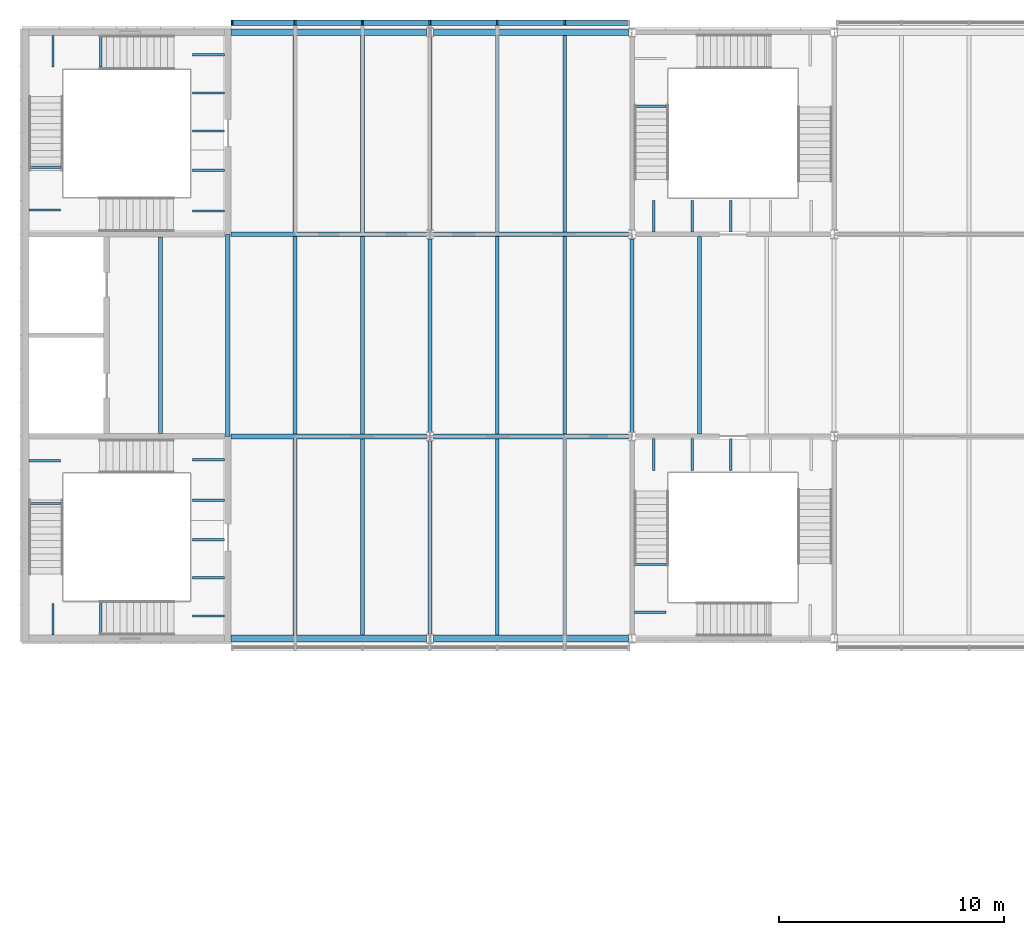
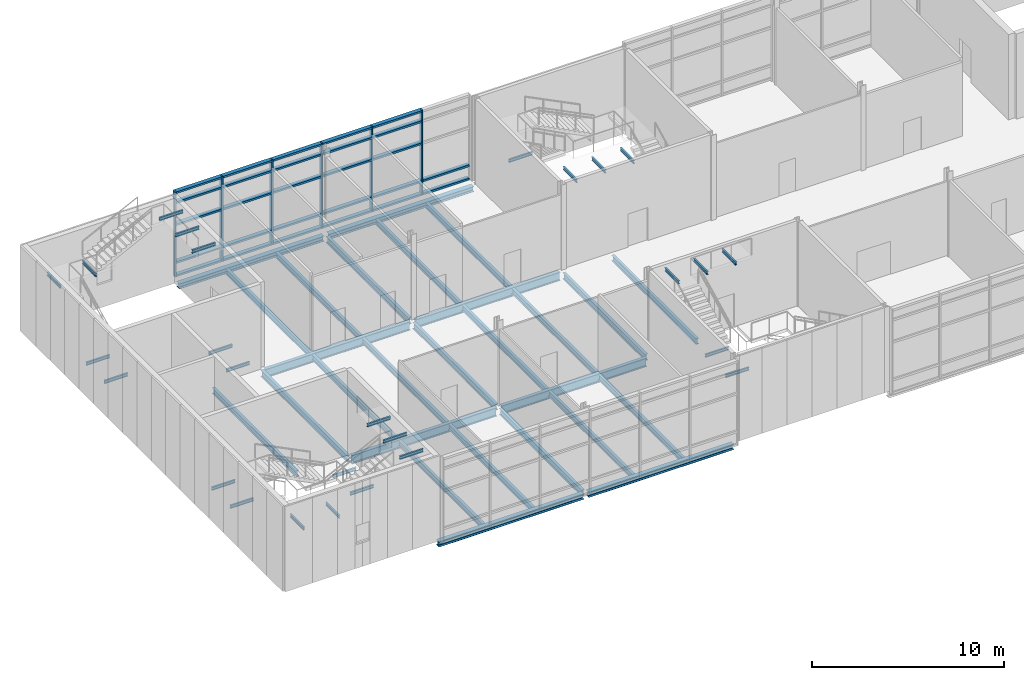
# One storey, part 14 of 56: 54 beams, 33 members, 1 element without a shape of its own.
"""IFC4 building model written with IfcOpenShell, lengths in metres."""

from ifc_helpers import new_model, si_unit, direction, frame, origin, origin_2d, place, context, subcontext, project, spatial, rectangle, i_section, extrude, material, material_profile, profile_set, type_object, element, aggregate, save


model = new_model("IFC4")

# Units and contexts
model_context = context("Model", 3, precision=1e-05, world=origin(), true_north=direction((0.0, 1.0)))
body_context = subcontext(model_context, "Body", "Model", "MODEL_VIEW")
ifc_project = project(units=[si_unit("LENGTHUNIT", "METRE"), si_unit("AREAUNIT", "SQUARE_METRE"), si_unit("VOLUMEUNIT", "CUBIC_METRE"), si_unit("PLANEANGLEUNIT", "RADIAN"), si_unit("MASSUNIT", "GRAM", prefix="KILO")], contexts=[model_context])

# Site, building, storey
site_placement = place(None, origin())
site = spatial("IfcSite", under=ifc_project, at=site_placement, CompositionType="ELEMENT")
building_placement = place(site_placement, origin())
building = spatial("IfcBuilding", under=site, at=building_placement, Name="Azimuth Sports and Learning Centre", CompositionType="ELEMENT")
storey_placement = place(building_placement, frame((0.0, 0.0, 5.39990234375)))
storey = spatial("IfcBuildingStorey", under=building, at=storey_placement, Name="L01", CompositionType="ELEMENT", Elevation=5.39990234375)

# Beams
ifc_material_1 = material(Name="Steel S355", Category="steel")
ifc_material_profile_1 = material_profile(ifc_material_1, i_section(OverallWidth=0.10009765625, OverallDepth=0.199951171875, WebThickness=0.005615234375, FlangeThickness=0.008544921875, FilletRadius=0.011962890625, at=origin_2d()), Name="IPE 200")
ifc_profile_set_1 = profile_set([ifc_material_profile_1], Name="Steel S355")
beam_type_1 = type_object("IfcBeamType", Name="Beam IPE 200", PredefinedType="BEAM", material=ifc_profile_set_1)
for number, where, z_axis, x_axis, name in (
    (1, (8.85009765625, 96.15380859375, -0.2998046875), (-1.0, 0.0, 0.0), (0.0, -1.0, 0.0), "Landing bracket WW1 L01 720"),
    (2, (8.85009765625, 97.961181640625, -0.2998046875), (-1.0, 0.0, 0.0), (0.0, -1.0, 0.0), "Landing bracket WW1 L01 721"),
    (3, (0.14990234375, 96.014892578125, 1.5), (1.0, 0.0, 0.0), (0.0, 1.0, 0.0), "Landing bracket WW1 L01 722"),
    (4, (0.14990234375, 97.9150390625, 1.5), (1.0, 0.0, 0.0), (0.0, 1.0, 0.0), "Landing bracket WW1 L01 723"),
    (5, (1.222412109375, 90.14990234375, 3.300048828125), (0.0, 1.0, 0.0), (-1.0, 0.0, 0.0), "Landing bracket WW1 L01 724"),
    (6, (3.347412109375, 90.14990234375, 3.300048828125), (0.0, 1.0, 0.0), (-1.0, 0.0, 0.0), "Landing bracket WW1 L01 725"),
    (7, (8.85009765625, 91.00830078125, 5.10009765625), (-1.0, 0.0, 0.0), (0.0, -1.0, 0.0), "Landing bracket WW1 L01 726"),
    (8, (8.85009765625, 92.705078125, 5.10009765625), (-1.0, 0.0, 0.0), (0.0, -1.0, 0.0), "Landing bracket WW1 L01 727"),
    (9, (8.85009765625, 94.401611328125, 5.10009765625), (-1.0, 0.0, 0.0), (0.0, -1.0, 0.0), "Landing bracket WW1 L01 728"),
    (10, (8.85009765625, 109.038818359375, -0.2998046875), (-1.0, 0.0, 0.0), (0.0, -1.0, 0.0), "Landing bracket WW2 L01 754"),
    (11, (8.85009765625, 110.84619140625, -0.2998046875), (-1.0, 0.0, 0.0), (0.0, -1.0, 0.0), "Landing bracket WW2 L01 755"),
    (12, (0.14990234375, 109.0849609375, 1.5), (1.0, 0.0, 0.0), (0.0, 1.0, 0.0), "Landing bracket WW2 L01 756"),
    (13, (0.14990234375, 110.985107421875, 1.5), (1.0, 0.0, 0.0), (0.0, 1.0, 0.0), "Landing bracket WW2 L01 757"),
    (14, (1.222412109375, 116.85009765625, 3.300048828125), (0.0, -1.0, 0.0), (1.0, 0.0, 0.0), "Landing bracket WW2 L01 758"),
    (15, (3.347412109375, 116.85009765625, 3.300048828125), (0.0, -1.0, 0.0), (1.0, 0.0, 0.0), "Landing bracket WW2 L01 759"),
    (16, (8.85009765625, 112.598388671875, 5.10009765625), (-1.0, 0.0, 0.0), (0.0, -1.0, 0.0), "Landing bracket WW2 L01 760"),
    (17, (8.85009765625, 114.294921875, 5.10009765625), (-1.0, 0.0, 0.0), (0.0, -1.0, 0.0), "Landing bracket WW2 L01 761"),
    (18, (8.85009765625, 115.99169921875, 5.10009765625), (-1.0, 0.0, 0.0), (0.0, -1.0, 0.0), "Landing bracket WW2 L01 762"),
):
    element("IfcBeam", number, at=place(storey_placement, frame(where, z_axis=z_axis, x_axis=x_axis)), inside=storey, type_object=beam_type_1, Name=name, PredefinedType="BEAM", context=body_context, shape_type="SweptSolid", body=[
        extrude(i_section(OverallWidth=0.10009765625, OverallDepth=0.199951171875, WebThickness=0.005615234375, FlangeThickness=0.008544921875, FilletRadius=0.011962890625, at=origin_2d()), origin(), (0.0, 0.0, 1.0), 1.41015625),
    ])
for number, where, z_axis, x_axis, name in (
    (19, (27.10009765625, 91.172607421875, 3.300048828125), (1.0, 0.0, 0.0), (0.0, 1.0, 0.0), "Landing bracket WM1 L01 860"),
    (20, (27.10009765625, 93.297607421875, 3.300048828125), (1.0, 0.0, 0.0), (0.0, 1.0, 0.0), "Landing bracket WM1 L01 861"),
    (21, (27.966552734375, 98.89990234375, 5.10009765625), (0.0, -1.0, 0.0), (1.0, 0.0, 0.0), "Landing bracket WM1 L01 862"),
    (22, (29.679931640625, 98.89990234375, 5.10009765625), (0.0, -1.0, 0.0), (1.0, 0.0, 0.0), "Landing bracket WM1 L01 863"),
    (23, (31.393310546875, 98.89990234375, 5.10009765625), (0.0, -1.0, 0.0), (1.0, 0.0, 0.0), "Landing bracket WM1 L01 864"),
    (24, (27.10009765625, 113.702392578125, 3.300048828125), (1.0, 0.0, 0.0), (0.0, 1.0, 0.0), "Landing bracket WM2 L01 894"),
    (25, (27.966552734375, 108.10009765625, 5.10009765625), (0.0, 1.0, 0.0), (-1.0, 0.0, 0.0), "Landing bracket WM2 L01 896"),
    (26, (29.679931640625, 108.10009765625, 5.10009765625), (0.0, 1.0, 0.0), (-1.0, 0.0, 0.0), "Landing bracket WM2 L01 897"),
    (27, (31.393310546875, 108.10009765625, 5.10009765625), (0.0, 1.0, 0.0), (-1.0, 0.0, 0.0), "Landing bracket WM2 L01 898"),
):
    element("IfcBeam", number, at=place(storey_placement, frame(where, z_axis=z_axis, x_axis=x_axis)), inside=storey, type_object=beam_type_1, Name=name, PredefinedType="BEAM", context=body_context, shape_type="SweptSolid", body=[
        extrude(i_section(OverallWidth=0.10009765625, OverallDepth=0.199951171875, WebThickness=0.005615234375, FlangeThickness=0.008544921875, FilletRadius=0.011962890625, at=origin_2d()), origin(), (0.0, 0.0, 1.0), 1.409912109375),
    ])
ifc_material_2 = material(Name="Steel S355", Category="steel")
ifc_material_profile_2 = material_profile(ifc_material_2, i_section(OverallWidth=0.179931640625, OverallDepth=0.39990234375, WebThickness=0.008544921875, FlangeThickness=0.013427734375, FilletRadius=0.02099609375, at=origin_2d()), Name="IPE 400")
ifc_profile_set_2 = profile_set([ifc_material_profile_2], Name="Steel S355")
beam_type_2 = type_object("IfcBeamType", Name="Beam IPE 400", PredefinedType="BEAM", material=ifc_profile_set_2)
beam_1_placement = place(storey_placement, frame((9.0, 99.0, -0.349853515625), z_axis=(0.0, 1.0, 0.0), x_axis=(-1.0, 0.0, 0.0)))
element("IfcBeam", 28, at=beam_1_placement, inside=storey, type_object=beam_type_2, Name="Beam L01 WW 17", PredefinedType="BEAM", context=body_context, shape_type="SweptSolid", body=[
    extrude(i_section(OverallWidth=0.179931640625, OverallDepth=0.39990234375, WebThickness=0.008544921875, FlangeThickness=0.013427734375, FilletRadius=0.02099609375, at=origin_2d()), origin(), (0.0, 0.0, 1.0), 9.0),
])
for number, where, z_axis, x_axis, name in (
    (29, (18.0, 90.199951171875, -0.349853515625), (0.0, 1.0, 0.0), (-1.0, 0.0, 0.0), "Beam L01 WW 18"),
    (30, (18.0, 99.199951171875, -0.349853515625), (0.0, 1.0, 0.0), (-1.0, 0.0, 0.0), "Beam L01 WW 19"),
    (31, (18.0, 108.199951171875, -0.349853515625), (0.0, 1.0, 0.0), (-1.0, 0.0, 0.0), "Beam L01 WW 20"),
    (32, (27.0, 99.199951171875, -0.349853515625), (0.0, 1.0, 0.0), (-1.0, 0.0, 0.0), "Beam L01 WW 21"),
):
    element("IfcBeam", number, at=place(storey_placement, frame(where, z_axis=z_axis, x_axis=x_axis)), inside=storey, type_object=beam_type_2, Name=name, PredefinedType="BEAM", context=body_context, shape_type="SweptSolid", body=[
        extrude(i_section(OverallWidth=0.179931640625, OverallDepth=0.39990234375, WebThickness=0.008544921875, FlangeThickness=0.013427734375, FilletRadius=0.02099609375, at=origin_2d()), origin(), (0.0, 0.0, 1.0), 8.60009765625),
    ])
ifc_material_3 = material(Name="Steel S355", Category="steel")
ifc_material_profile_3 = material_profile(ifc_material_3, i_section(OverallWidth=0.2099609375, OverallDepth=0.550048828125, WebThickness=0.010986328125, FlangeThickness=0.01708984375, FilletRadius=0.02392578125, at=origin_2d()), Name="IPE 550")
ifc_profile_set_3 = profile_set([ifc_material_profile_3], Name="Steel S355")
beam_type_3 = type_object("IfcBeamType", Name="Beam IPE 550", PredefinedType="BEAM", material=ifc_profile_set_3)
for number, where, z_axis, x_axis, name in (
    (33, (9.14990234375, 99.0, -0.4248046875), (1.0, 0.0, 0.0), (0.0, 1.0, 0.0), "Beam L01 WW 5"),
    (34, (18.14990234375, 99.0, -0.4248046875), (1.0, 0.0, 0.0), (0.0, 1.0, 0.0), "Beam L01 WW 6"),
    (35, (9.14990234375, 108.0, -0.4248046875), (1.0, 0.0, 0.0), (0.0, 1.0, 0.0), "Beam L01 WW 9"),
    (36, (18.14990234375, 108.0, -0.4248046875), (1.0, 0.0, 0.0), (0.0, 1.0, 0.0), "Beam L01 WW 10"),
):
    element("IfcBeam", number, at=place(storey_placement, frame(where, z_axis=z_axis, x_axis=x_axis)), inside=storey, type_object=beam_type_3, Name=name, PredefinedType="BEAM", context=body_context, shape_type="SweptSolid", body=[
        extrude(i_section(OverallWidth=0.2099609375, OverallDepth=0.550048828125, WebThickness=0.010986328125, FlangeThickness=0.01708984375, FilletRadius=0.02392578125, at=origin_2d()), origin(), (0.0, 0.0, 1.0), 8.7001953125),
    ])
ifc_material_4 = material(Name="Steel S355", Category="steel")
ifc_material_profile_4 = material_profile(ifc_material_4, i_section(OverallWidth=0.300048828125, OverallDepth=0.330078125, WebThickness=0.009521484375, FlangeThickness=0.0166015625, FilletRadius=0.027099609375, at=origin_2d()), Name="HEA 340")
ifc_profile_set_4 = profile_set([ifc_material_profile_4], Name="Steel S355")
beam_type_4 = type_object("IfcBeamType", Name="Edge beam HEA 340", PredefinedType="SPANDREL", material=ifc_profile_set_4)
for number, where, z_axis, x_axis, name in (
    (37, (9.14990234375, 90.0, -0.31494140625), (1.0, 0.0, 0.0), (0.0, 1.0, 0.0), "Edge beam L01 WW 1"),
    (38, (18.14990234375, 90.0, -0.31494140625), (1.0, 0.0, 0.0), (0.0, 1.0, 0.0), "Edge beam L01 WW 2"),
    (39, (9.14990234375, 117.0, -0.31494140625), (1.0, 0.0, 0.0), (0.0, 1.0, 0.0), "Edge beam L01 WW 13"),
    (40, (18.14990234375, 117.0, -0.31494140625), (1.0, 0.0, 0.0), (0.0, 1.0, 0.0), "Edge beam L01 WW 14"),
):
    element("IfcBeam", number, at=place(storey_placement, frame(where, z_axis=z_axis, x_axis=x_axis)), inside=storey, type_object=beam_type_4, Name=name, PredefinedType="SPANDREL", context=body_context, shape_type="SweptSolid", body=[
        extrude(i_section(OverallWidth=0.300048828125, OverallDepth=0.330078125, WebThickness=0.009521484375, FlangeThickness=0.0166015625, FilletRadius=0.027099609375, at=origin_2d()), origin(), (0.0, 0.0, 1.0), 8.7001953125),
    ])
ifc_material_5 = material(Name="Steel S355", Category="steel")
ifc_material_profile_5 = material_profile(ifc_material_5, i_section(OverallWidth=0.169921875, OverallDepth=0.360107421875, WebThickness=0.008056640625, FlangeThickness=0.0126953125, FilletRadius=0.01806640625, at=origin_2d()), Name="IPE 360")
ifc_profile_set_5 = profile_set([ifc_material_profile_5], Name="Steel S355")
beam_type_5 = type_object("IfcBeamType", Name="Joist IPE 360", PredefinedType="JOIST", material=ifc_profile_set_5)
beam_2_placement = place(storey_placement, frame((6.0, 99.125, -0.329833984375), z_axis=(0.0, 1.0, 0.0), x_axis=(-1.0, 0.0, 0.0)))
element("IfcBeam", 41, at=beam_2_placement, inside=storey, type_object=beam_type_5, Name="Joist L01 WW 27", PredefinedType="JOIST", context=body_context, shape_type="SweptSolid", body=[
    extrude(i_section(OverallWidth=0.169921875, OverallDepth=0.360107421875, WebThickness=0.008056640625, FlangeThickness=0.0126953125, FilletRadius=0.01806640625, at=origin_2d()), origin(), (0.0, 0.0, 1.0), 8.75),
])
beam_3_placement = place(storey_placement, frame((12.0, 90.14990234375, -0.329833984375), z_axis=(0.0, 1.0, 0.0), x_axis=(-1.0, 0.0, 0.0)))
element("IfcBeam", 42, at=beam_3_placement, inside=storey, type_object=beam_type_5, Name="Joist L01 WW 28", PredefinedType="JOIST", context=body_context, shape_type="SweptSolid", body=[
    extrude(i_section(OverallWidth=0.169921875, OverallDepth=0.360107421875, WebThickness=0.008056640625, FlangeThickness=0.0126953125, FilletRadius=0.01806640625, at=origin_2d()), origin(), (0.0, 0.0, 1.0), 8.7451171875),
])
beam_4_placement = place(storey_placement, frame((12.0, 99.10498046875, -0.329833984375), z_axis=(0.0, 1.0, 0.0), x_axis=(-1.0, 0.0, 0.0)))
element("IfcBeam", 43, at=beam_4_placement, inside=storey, type_object=beam_type_5, Name="Joist L01 WW 29", PredefinedType="JOIST", context=body_context, shape_type="SweptSolid", body=[
    extrude(i_section(OverallWidth=0.169921875, OverallDepth=0.360107421875, WebThickness=0.008056640625, FlangeThickness=0.0126953125, FilletRadius=0.01806640625, at=origin_2d()), origin(), (0.0, 0.0, 1.0), 8.7900390625),
])
for number, where, z_axis, x_axis, name in (
    (44, (12.0, 108.10498046875, -0.329833984375), (0.0, 1.0, 0.0), (-1.0, 0.0, 0.0), "Joist L01 WW 30"),
    (45, (15.0, 90.14990234375, -0.329833984375), (0.0, 1.0, 0.0), (-1.0, 0.0, 0.0), "Joist L01 WW 31"),
):
    element("IfcBeam", number, at=place(storey_placement, frame(where, z_axis=z_axis, x_axis=x_axis)), inside=storey, type_object=beam_type_5, Name=name, PredefinedType="JOIST", context=body_context, shape_type="SweptSolid", body=[
        extrude(i_section(OverallWidth=0.169921875, OverallDepth=0.360107421875, WebThickness=0.008056640625, FlangeThickness=0.0126953125, FilletRadius=0.01806640625, at=origin_2d()), origin(), (0.0, 0.0, 1.0), 8.7451171875),
    ])
beam_5_placement = place(storey_placement, frame((15.0, 99.10498046875, -0.329833984375), z_axis=(0.0, 1.0, 0.0), x_axis=(-1.0, 0.0, 0.0)))
element("IfcBeam", 46, at=beam_5_placement, inside=storey, type_object=beam_type_5, Name="Joist L01 WW 32", PredefinedType="JOIST", context=body_context, shape_type="SweptSolid", body=[
    extrude(i_section(OverallWidth=0.169921875, OverallDepth=0.360107421875, WebThickness=0.008056640625, FlangeThickness=0.0126953125, FilletRadius=0.01806640625, at=origin_2d()), origin(), (0.0, 0.0, 1.0), 8.7900390625),
])
for number, where, z_axis, x_axis, name in (
    (47, (15.0, 108.10498046875, -0.329833984375), (0.0, 1.0, 0.0), (-1.0, 0.0, 0.0), "Joist L01 WW 33"),
    (48, (21.0, 90.14990234375, -0.329833984375), (0.0, 1.0, 0.0), (-1.0, 0.0, 0.0), "Joist L01 WW 34"),
):
    element("IfcBeam", number, at=place(storey_placement, frame(where, z_axis=z_axis, x_axis=x_axis)), inside=storey, type_object=beam_type_5, Name=name, PredefinedType="JOIST", context=body_context, shape_type="SweptSolid", body=[
        extrude(i_section(OverallWidth=0.169921875, OverallDepth=0.360107421875, WebThickness=0.008056640625, FlangeThickness=0.0126953125, FilletRadius=0.01806640625, at=origin_2d()), origin(), (0.0, 0.0, 1.0), 8.7451171875),
    ])
beam_6_placement = place(storey_placement, frame((21.0, 99.10498046875, -0.329833984375), z_axis=(0.0, 1.0, 0.0), x_axis=(-1.0, 0.0, 0.0)))
element("IfcBeam", 49, at=beam_6_placement, inside=storey, type_object=beam_type_5, Name="Joist L01 WW 35", PredefinedType="JOIST", context=body_context, shape_type="SweptSolid", body=[
    extrude(i_section(OverallWidth=0.169921875, OverallDepth=0.360107421875, WebThickness=0.008056640625, FlangeThickness=0.0126953125, FilletRadius=0.01806640625, at=origin_2d()), origin(), (0.0, 0.0, 1.0), 8.7900390625),
])
for number, where, z_axis, x_axis, name in (
    (50, (21.0, 108.10498046875, -0.329833984375), (0.0, 1.0, 0.0), (-1.0, 0.0, 0.0), "Joist L01 WW 36"),
    (51, (24.0, 90.14990234375, -0.329833984375), (0.0, 1.0, 0.0), (-1.0, 0.0, 0.0), "Joist L01 WW 37"),
):
    element("IfcBeam", number, at=place(storey_placement, frame(where, z_axis=z_axis, x_axis=x_axis)), inside=storey, type_object=beam_type_5, Name=name, PredefinedType="JOIST", context=body_context, shape_type="SweptSolid", body=[
        extrude(i_section(OverallWidth=0.169921875, OverallDepth=0.360107421875, WebThickness=0.008056640625, FlangeThickness=0.0126953125, FilletRadius=0.01806640625, at=origin_2d()), origin(), (0.0, 0.0, 1.0), 8.7451171875),
    ])
beam_7_placement = place(storey_placement, frame((24.0, 99.10498046875, -0.329833984375), z_axis=(0.0, 1.0, 0.0), x_axis=(-1.0, 0.0, 0.0)))
element("IfcBeam", 52, at=beam_7_placement, inside=storey, type_object=beam_type_5, Name="Joist L01 WW 38", PredefinedType="JOIST", context=body_context, shape_type="SweptSolid", body=[
    extrude(i_section(OverallWidth=0.169921875, OverallDepth=0.360107421875, WebThickness=0.008056640625, FlangeThickness=0.0126953125, FilletRadius=0.01806640625, at=origin_2d()), origin(), (0.0, 0.0, 1.0), 8.7900390625),
])
beam_8_placement = place(storey_placement, frame((24.0, 108.10498046875, -0.329833984375), z_axis=(0.0, 1.0, 0.0), x_axis=(-1.0, 0.0, 0.0)))
element("IfcBeam", 53, at=beam_8_placement, inside=storey, type_object=beam_type_5, Name="Joist L01 WW 39", PredefinedType="JOIST", context=body_context, shape_type="SweptSolid", body=[
    extrude(i_section(OverallWidth=0.169921875, OverallDepth=0.360107421875, WebThickness=0.008056640625, FlangeThickness=0.0126953125, FilletRadius=0.01806640625, at=origin_2d()), origin(), (0.0, 0.0, 1.0), 8.7451171875),
])
beam_9_placement = place(storey_placement, frame((30.0, 99.10009765625, -0.329833984375), z_axis=(0.0, 1.0, 0.0), x_axis=(-1.0, 0.0, 0.0)))
element("IfcBeam", 54, at=beam_9_placement, inside=storey, type_object=beam_type_5, Name="Joist L01 WW 40", PredefinedType="JOIST", context=body_context, shape_type="SweptSolid", body=[
    extrude(i_section(OverallWidth=0.169921875, OverallDepth=0.360107421875, WebThickness=0.008056640625, FlangeThickness=0.0126953125, FilletRadius=0.01806640625, at=origin_2d()), origin(), (0.0, 0.0, 1.0), 8.7998046875),
])

# Curtain wall, members
ifc_material_6 = material(Name="Aluminium and glass", Category="aluminium")
curtain_wall_type = type_object("IfcCurtainWallType", Name="Curtain wall podium wing 240", PredefinedType="NOTDEFINED", material=ifc_material_6)
curtain_wall_placement = place(storey_placement, origin())
curtain_wall = element("IfcCurtainWall", 55, at=curtain_wall_placement, inside=storey, type_object=curtain_wall_type, Name="Curtain wall CW01-014", PredefinedType="NOTDEFINED")
ifc_material_7 = material(Name="Aluminium", Category="aluminium")
ifc_material_profile_6 = material_profile(ifc_material_7, rectangle(XDim=0.239990234375, YDim=0.080078125, at=origin_2d()), Name="Mullion 80x240")
ifc_profile_set_6 = profile_set([ifc_material_profile_6], Name="Aluminium")
member_type_1 = type_object("IfcMemberType", Name="Mullion 80x240", PredefinedType="MULLION", material=ifc_profile_set_6)
member_1_placement = place(storey_placement, frame((24.0, 117.419921875, 0.0), z_axis=(0.0, 0.0, 1.0), x_axis=(0.0, -1.0, 0.0)))
member_1 = element("IfcMember", 56, at=member_1_placement, type_object=member_type_1, Name="CW01-014 mullion 2", PredefinedType="MULLION", context=body_context, shape_type="SweptSolid", body=[
    extrude(rectangle(XDim=0.239990234375, YDim=0.080078125, at=origin_2d()), origin(), (0.0, 0.0, 1.0), 5.400146484375),
])
member_2_placement = place(storey_placement, frame((21.0, 117.419921875, 0.0), z_axis=(0.0, 0.0, 1.0), x_axis=(0.0, -1.0, 0.0)))
member_2 = element("IfcMember", 57, at=member_2_placement, type_object=member_type_1, Name="CW01-014 mullion 3", PredefinedType="MULLION", context=body_context, shape_type="SweptSolid", body=[
    extrude(rectangle(XDim=0.239990234375, YDim=0.080078125, at=origin_2d()), origin(), (0.0, 0.0, 1.0), 5.400146484375),
])
member_3_placement = place(storey_placement, frame((18.0, 117.419921875, 0.0), z_axis=(0.0, 0.0, 1.0), x_axis=(0.0, -1.0, 0.0)))
member_3 = element("IfcMember", 58, at=member_3_placement, type_object=member_type_1, Name="CW01-014 mullion 4", PredefinedType="MULLION", context=body_context, shape_type="SweptSolid", body=[
    extrude(rectangle(XDim=0.239990234375, YDim=0.080078125, at=origin_2d()), origin(), (0.0, 0.0, 1.0), 5.400146484375),
])
member_4_placement = place(storey_placement, frame((15.0, 117.419921875, 0.0), z_axis=(0.0, 0.0, 1.0), x_axis=(0.0, -1.0, 0.0)))
member_4 = element("IfcMember", 59, at=member_4_placement, type_object=member_type_1, Name="CW01-014 mullion 5", PredefinedType="MULLION", context=body_context, shape_type="SweptSolid", body=[
    extrude(rectangle(XDim=0.239990234375, YDim=0.080078125, at=origin_2d()), origin(), (0.0, 0.0, 1.0), 5.400146484375),
])
member_5_placement = place(storey_placement, frame((12.0, 117.419921875, 0.0), z_axis=(0.0, 0.0, 1.0), x_axis=(0.0, -1.0, 0.0)))
member_5 = element("IfcMember", 60, at=member_5_placement, type_object=member_type_1, Name="CW01-014 mullion 6", PredefinedType="MULLION", context=body_context, shape_type="SweptSolid", body=[
    extrude(rectangle(XDim=0.239990234375, YDim=0.080078125, at=origin_2d()), origin(), (0.0, 0.0, 1.0), 5.400146484375),
])
member_6_placement = place(storey_placement, frame((9.18994140625, 117.419921875, 0.0), z_axis=(0.0, 0.0, 1.0), x_axis=(0.0, -1.0, 0.0)))
member_6 = element("IfcMember", 61, at=member_6_placement, type_object=member_type_1, Name="CW01-014 mullion 7", PredefinedType="MULLION", context=body_context, shape_type="SweptSolid", body=[
    extrude(rectangle(XDim=0.239990234375, YDim=0.080078125, at=origin_2d()), origin(), (0.0, 0.0, 1.0), 5.400146484375),
])
ifc_material_8 = material(Name="Aluminium", Category="aluminium")
ifc_material_profile_7 = material_profile(ifc_material_8, rectangle(XDim=0.239990234375, YDim=0.1201171875, at=origin_2d()), Name="Transom 120x240")
ifc_profile_set_7 = profile_set([ifc_material_profile_7], Name="Aluminium")
member_type_2 = type_object("IfcMemberType", Name="Transom 120x240", PredefinedType="USERDEFINED", material=ifc_profile_set_7)
member_7_placement = place(storey_placement, frame((26.820068359375, 117.419921875, 0.06005859375), z_axis=(-1.0, 0.0, 0.0), x_axis=(0.0, -1.0, 0.0)))
member_7 = element("IfcMember", 62, at=member_7_placement, type_object=member_type_2, Name="CW01-014 transom 1.1", ObjectType="TRANSOM", PredefinedType="USERDEFINED", context=body_context, shape_type="SweptSolid", body=[
    extrude(rectangle(XDim=0.239990234375, YDim=0.1201171875, at=origin_2d()), origin(), (0.0, 0.0, 1.0), 2.780029296875),
])
member_8_placement = place(storey_placement, frame((26.820068359375, 117.419921875, 0.900146484375), z_axis=(-1.0, 0.0, 0.0), x_axis=(0.0, -1.0, 0.0)))
member_8 = element("IfcMember", 63, at=member_8_placement, type_object=member_type_2, Name="CW01-014 transom 1.2", ObjectType="TRANSOM", PredefinedType="USERDEFINED", context=body_context, shape_type="SweptSolid", body=[
    extrude(rectangle(XDim=0.239990234375, YDim=0.1201171875, at=origin_2d()), origin(), (0.0, 0.0, 1.0), 2.780029296875),
])
member_9_placement = place(storey_placement, frame((23.9599609375, 117.419921875, 0.06005859375), z_axis=(-1.0, 0.0, 0.0), x_axis=(0.0, -1.0, 0.0)))
member_9 = element("IfcMember", 64, at=member_9_placement, type_object=member_type_2, Name="CW01-014 transom 2.1", ObjectType="TRANSOM", PredefinedType="USERDEFINED", context=body_context, shape_type="SweptSolid", body=[
    extrude(rectangle(XDim=0.239990234375, YDim=0.1201171875, at=origin_2d()), origin(), (0.0, 0.0, 1.0), 2.919921875),
])
member_10_placement = place(storey_placement, frame((23.9599609375, 117.419921875, 0.900146484375), z_axis=(-1.0, 0.0, 0.0), x_axis=(0.0, -1.0, 0.0)))
member_10 = element("IfcMember", 65, at=member_10_placement, type_object=member_type_2, Name="CW01-014 transom 2.2", ObjectType="TRANSOM", PredefinedType="USERDEFINED", context=body_context, shape_type="SweptSolid", body=[
    extrude(rectangle(XDim=0.239990234375, YDim=0.1201171875, at=origin_2d()), origin(), (0.0, 0.0, 1.0), 2.919921875),
])
member_11_placement = place(storey_placement, frame((23.9599609375, 117.419921875, 3.300048828125), z_axis=(-1.0, 0.0, 0.0), x_axis=(0.0, -1.0, 0.0)))
member_11 = element("IfcMember", 66, at=member_11_placement, type_object=member_type_2, Name="CW01-014 transom 2.3", ObjectType="TRANSOM", PredefinedType="USERDEFINED", context=body_context, shape_type="SweptSolid", body=[
    extrude(rectangle(XDim=0.239990234375, YDim=0.1201171875, at=origin_2d()), origin(), (0.0, 0.0, 1.0), 2.919921875),
])
member_12_placement = place(storey_placement, frame((23.9599609375, 117.419921875, 4.7001953125), z_axis=(-1.0, 0.0, 0.0), x_axis=(0.0, -1.0, 0.0)))
member_12 = element("IfcMember", 67, at=member_12_placement, type_object=member_type_2, Name="CW01-014 transom 2.4", ObjectType="TRANSOM", PredefinedType="USERDEFINED", context=body_context, shape_type="SweptSolid", body=[
    extrude(rectangle(XDim=0.239990234375, YDim=0.1201171875, at=origin_2d()), origin(), (0.0, 0.0, 1.0), 2.919921875),
])
member_13_placement = place(storey_placement, frame((23.9599609375, 117.419921875, 5.340087890625), z_axis=(-1.0, 0.0, 0.0), x_axis=(0.0, -1.0, 0.0)))
member_13 = element("IfcMember", 68, at=member_13_placement, type_object=member_type_2, Name="CW01-014 transom 2.5", ObjectType="TRANSOM", PredefinedType="USERDEFINED", context=body_context, shape_type="SweptSolid", body=[
    extrude(rectangle(XDim=0.239990234375, YDim=0.1201171875, at=origin_2d()), origin(), (0.0, 0.0, 1.0), 2.919921875),
])
member_14_placement = place(storey_placement, frame((20.9599609375, 117.419921875, 0.06005859375), z_axis=(-1.0, 0.0, 0.0), x_axis=(0.0, -1.0, 0.0)))
member_14 = element("IfcMember", 69, at=member_14_placement, type_object=member_type_2, Name="CW01-014 transom 3.1", ObjectType="TRANSOM", PredefinedType="USERDEFINED", context=body_context, shape_type="SweptSolid", body=[
    extrude(rectangle(XDim=0.239990234375, YDim=0.1201171875, at=origin_2d()), origin(), (0.0, 0.0, 1.0), 2.919921875),
])
member_15_placement = place(storey_placement, frame((20.9599609375, 117.419921875, 0.900146484375), z_axis=(-1.0, 0.0, 0.0), x_axis=(0.0, -1.0, 0.0)))
member_15 = element("IfcMember", 70, at=member_15_placement, type_object=member_type_2, Name="CW01-014 transom 3.2", ObjectType="TRANSOM", PredefinedType="USERDEFINED", context=body_context, shape_type="SweptSolid", body=[
    extrude(rectangle(XDim=0.239990234375, YDim=0.1201171875, at=origin_2d()), origin(), (0.0, 0.0, 1.0), 2.919921875),
])
member_16_placement = place(storey_placement, frame((20.9599609375, 117.419921875, 3.300048828125), z_axis=(-1.0, 0.0, 0.0), x_axis=(0.0, -1.0, 0.0)))
member_16 = element("IfcMember", 71, at=member_16_placement, type_object=member_type_2, Name="CW01-014 transom 3.3", ObjectType="TRANSOM", PredefinedType="USERDEFINED", context=body_context, shape_type="SweptSolid", body=[
    extrude(rectangle(XDim=0.239990234375, YDim=0.1201171875, at=origin_2d()), origin(), (0.0, 0.0, 1.0), 2.919921875),
])
member_17_placement = place(storey_placement, frame((20.9599609375, 117.419921875, 4.7001953125), z_axis=(-1.0, 0.0, 0.0), x_axis=(0.0, -1.0, 0.0)))
member_17 = element("IfcMember", 72, at=member_17_placement, type_object=member_type_2, Name="CW01-014 transom 3.4", ObjectType="TRANSOM", PredefinedType="USERDEFINED", context=body_context, shape_type="SweptSolid", body=[
    extrude(rectangle(XDim=0.239990234375, YDim=0.1201171875, at=origin_2d()), origin(), (0.0, 0.0, 1.0), 2.919921875),
])
member_18_placement = place(storey_placement, frame((20.9599609375, 117.419921875, 5.340087890625), z_axis=(-1.0, 0.0, 0.0), x_axis=(0.0, -1.0, 0.0)))
member_18 = element("IfcMember", 73, at=member_18_placement, type_object=member_type_2, Name="CW01-014 transom 3.5", ObjectType="TRANSOM", PredefinedType="USERDEFINED", context=body_context, shape_type="SweptSolid", body=[
    extrude(rectangle(XDim=0.239990234375, YDim=0.1201171875, at=origin_2d()), origin(), (0.0, 0.0, 1.0), 2.919921875),
])
member_19_placement = place(storey_placement, frame((17.9599609375, 117.419921875, 0.06005859375), z_axis=(-1.0, 0.0, 0.0), x_axis=(0.0, -1.0, 0.0)))
member_19 = element("IfcMember", 74, at=member_19_placement, type_object=member_type_2, Name="CW01-014 transom 4.1", ObjectType="TRANSOM", PredefinedType="USERDEFINED", context=body_context, shape_type="SweptSolid", body=[
    extrude(rectangle(XDim=0.239990234375, YDim=0.1201171875, at=origin_2d()), origin(), (0.0, 0.0, 1.0), 2.919921875),
])
member_20_placement = place(storey_placement, frame((17.9599609375, 117.419921875, 0.900146484375), z_axis=(-1.0, 0.0, 0.0), x_axis=(0.0, -1.0, 0.0)))
member_20 = element("IfcMember", 75, at=member_20_placement, type_object=member_type_2, Name="CW01-014 transom 4.2", ObjectType="TRANSOM", PredefinedType="USERDEFINED", context=body_context, shape_type="SweptSolid", body=[
    extrude(rectangle(XDim=0.239990234375, YDim=0.1201171875, at=origin_2d()), origin(), (0.0, 0.0, 1.0), 2.919921875),
])
member_21_placement = place(storey_placement, frame((17.9599609375, 117.419921875, 3.300048828125), z_axis=(-1.0, 0.0, 0.0), x_axis=(0.0, -1.0, 0.0)))
member_21 = element("IfcMember", 76, at=member_21_placement, type_object=member_type_2, Name="CW01-014 transom 4.3", ObjectType="TRANSOM", PredefinedType="USERDEFINED", context=body_context, shape_type="SweptSolid", body=[
    extrude(rectangle(XDim=0.239990234375, YDim=0.1201171875, at=origin_2d()), origin(), (0.0, 0.0, 1.0), 2.919921875),
])
member_22_placement = place(storey_placement, frame((17.9599609375, 117.419921875, 4.7001953125), z_axis=(-1.0, 0.0, 0.0), x_axis=(0.0, -1.0, 0.0)))
member_22 = element("IfcMember", 77, at=member_22_placement, type_object=member_type_2, Name="CW01-014 transom 4.4", ObjectType="TRANSOM", PredefinedType="USERDEFINED", context=body_context, shape_type="SweptSolid", body=[
    extrude(rectangle(XDim=0.239990234375, YDim=0.1201171875, at=origin_2d()), origin(), (0.0, 0.0, 1.0), 2.919921875),
])
member_23_placement = place(storey_placement, frame((17.9599609375, 117.419921875, 5.340087890625), z_axis=(-1.0, 0.0, 0.0), x_axis=(0.0, -1.0, 0.0)))
member_23 = element("IfcMember", 78, at=member_23_placement, type_object=member_type_2, Name="CW01-014 transom 4.5", ObjectType="TRANSOM", PredefinedType="USERDEFINED", context=body_context, shape_type="SweptSolid", body=[
    extrude(rectangle(XDim=0.239990234375, YDim=0.1201171875, at=origin_2d()), origin(), (0.0, 0.0, 1.0), 2.919921875),
])
member_24_placement = place(storey_placement, frame((14.9599609375, 117.419921875, 0.06005859375), z_axis=(-1.0, 0.0, 0.0), x_axis=(0.0, -1.0, 0.0)))
member_24 = element("IfcMember", 79, at=member_24_placement, type_object=member_type_2, Name="CW01-014 transom 5.1", ObjectType="TRANSOM", PredefinedType="USERDEFINED", context=body_context, shape_type="SweptSolid", body=[
    extrude(rectangle(XDim=0.239990234375, YDim=0.1201171875, at=origin_2d()), origin(), (0.0, 0.0, 1.0), 2.919921875),
])
member_25_placement = place(storey_placement, frame((14.9599609375, 117.419921875, 0.900146484375), z_axis=(-1.0, 0.0, 0.0), x_axis=(0.0, -1.0, 0.0)))
member_25 = element("IfcMember", 80, at=member_25_placement, type_object=member_type_2, Name="CW01-014 transom 5.2", ObjectType="TRANSOM", PredefinedType="USERDEFINED", context=body_context, shape_type="SweptSolid", body=[
    extrude(rectangle(XDim=0.239990234375, YDim=0.1201171875, at=origin_2d()), origin(), (0.0, 0.0, 1.0), 2.919921875),
])
member_26_placement = place(storey_placement, frame((14.9599609375, 117.419921875, 3.300048828125), z_axis=(-1.0, 0.0, 0.0), x_axis=(0.0, -1.0, 0.0)))
member_26 = element("IfcMember", 81, at=member_26_placement, type_object=member_type_2, Name="CW01-014 transom 5.3", ObjectType="TRANSOM", PredefinedType="USERDEFINED", context=body_context, shape_type="SweptSolid", body=[
    extrude(rectangle(XDim=0.239990234375, YDim=0.1201171875, at=origin_2d()), origin(), (0.0, 0.0, 1.0), 2.919921875),
])
member_27_placement = place(storey_placement, frame((14.9599609375, 117.419921875, 4.7001953125), z_axis=(-1.0, 0.0, 0.0), x_axis=(0.0, -1.0, 0.0)))
member_27 = element("IfcMember", 82, at=member_27_placement, type_object=member_type_2, Name="CW01-014 transom 5.4", ObjectType="TRANSOM", PredefinedType="USERDEFINED", context=body_context, shape_type="SweptSolid", body=[
    extrude(rectangle(XDim=0.239990234375, YDim=0.1201171875, at=origin_2d()), origin(), (0.0, 0.0, 1.0), 2.919921875),
])
member_28_placement = place(storey_placement, frame((14.9599609375, 117.419921875, 5.340087890625), z_axis=(-1.0, 0.0, 0.0), x_axis=(0.0, -1.0, 0.0)))
member_28 = element("IfcMember", 83, at=member_28_placement, type_object=member_type_2, Name="CW01-014 transom 5.5", ObjectType="TRANSOM", PredefinedType="USERDEFINED", context=body_context, shape_type="SweptSolid", body=[
    extrude(rectangle(XDim=0.239990234375, YDim=0.1201171875, at=origin_2d()), origin(), (0.0, 0.0, 1.0), 2.919921875),
])
member_29_placement = place(storey_placement, frame((11.9599609375, 117.419921875, 0.06005859375), z_axis=(-1.0, 0.0, 0.0), x_axis=(0.0, -1.0, 0.0)))
member_29 = element("IfcMember", 84, at=member_29_placement, type_object=member_type_2, Name="CW01-014 transom 6.1", ObjectType="TRANSOM", PredefinedType="USERDEFINED", context=body_context, shape_type="SweptSolid", body=[
    extrude(rectangle(XDim=0.239990234375, YDim=0.1201171875, at=origin_2d()), origin(), (0.0, 0.0, 1.0), 2.72998046875),
])
member_30_placement = place(storey_placement, frame((11.9599609375, 117.419921875, 0.900146484375), z_axis=(-1.0, 0.0, 0.0), x_axis=(0.0, -1.0, 0.0)))
member_30 = element("IfcMember", 85, at=member_30_placement, type_object=member_type_2, Name="CW01-014 transom 6.2", ObjectType="TRANSOM", PredefinedType="USERDEFINED", context=body_context, shape_type="SweptSolid", body=[
    extrude(rectangle(XDim=0.239990234375, YDim=0.1201171875, at=origin_2d()), origin(), (0.0, 0.0, 1.0), 2.72998046875),
])
member_31_placement = place(storey_placement, frame((11.9599609375, 117.419921875, 3.300048828125), z_axis=(-1.0, 0.0, 0.0), x_axis=(0.0, -1.0, 0.0)))
member_31 = element("IfcMember", 86, at=member_31_placement, type_object=member_type_2, Name="CW01-014 transom 6.3", ObjectType="TRANSOM", PredefinedType="USERDEFINED", context=body_context, shape_type="SweptSolid", body=[
    extrude(rectangle(XDim=0.239990234375, YDim=0.1201171875, at=origin_2d()), origin(), (0.0, 0.0, 1.0), 2.72998046875),
])
member_32_placement = place(storey_placement, frame((11.9599609375, 117.419921875, 4.7001953125), z_axis=(-1.0, 0.0, 0.0), x_axis=(0.0, -1.0, 0.0)))
member_32 = element("IfcMember", 87, at=member_32_placement, type_object=member_type_2, Name="CW01-014 transom 6.4", ObjectType="TRANSOM", PredefinedType="USERDEFINED", context=body_context, shape_type="SweptSolid", body=[
    extrude(rectangle(XDim=0.239990234375, YDim=0.1201171875, at=origin_2d()), origin(), (0.0, 0.0, 1.0), 2.72998046875),
])
member_33_placement = place(storey_placement, frame((11.9599609375, 117.419921875, 5.340087890625), z_axis=(-1.0, 0.0, 0.0), x_axis=(0.0, -1.0, 0.0)))
member_33 = element("IfcMember", 88, at=member_33_placement, type_object=member_type_2, Name="CW01-014 transom 6.5", ObjectType="TRANSOM", PredefinedType="USERDEFINED", context=body_context, shape_type="SweptSolid", body=[
    extrude(rectangle(XDim=0.239990234375, YDim=0.1201171875, at=origin_2d()), origin(), (0.0, 0.0, 1.0), 2.72998046875),
])
aggregate(curtain_wall, [member_1, member_2, member_3, member_4, member_5, member_6, member_7, member_8, member_9, member_10, member_11, member_12, member_13, member_14, member_15, member_16, member_17, member_18, member_19, member_20, member_21, member_22, member_23, member_24, member_25, member_26, member_27, member_28, member_29, member_30, member_31, member_32, member_33])

save(model, "model.ifc")
